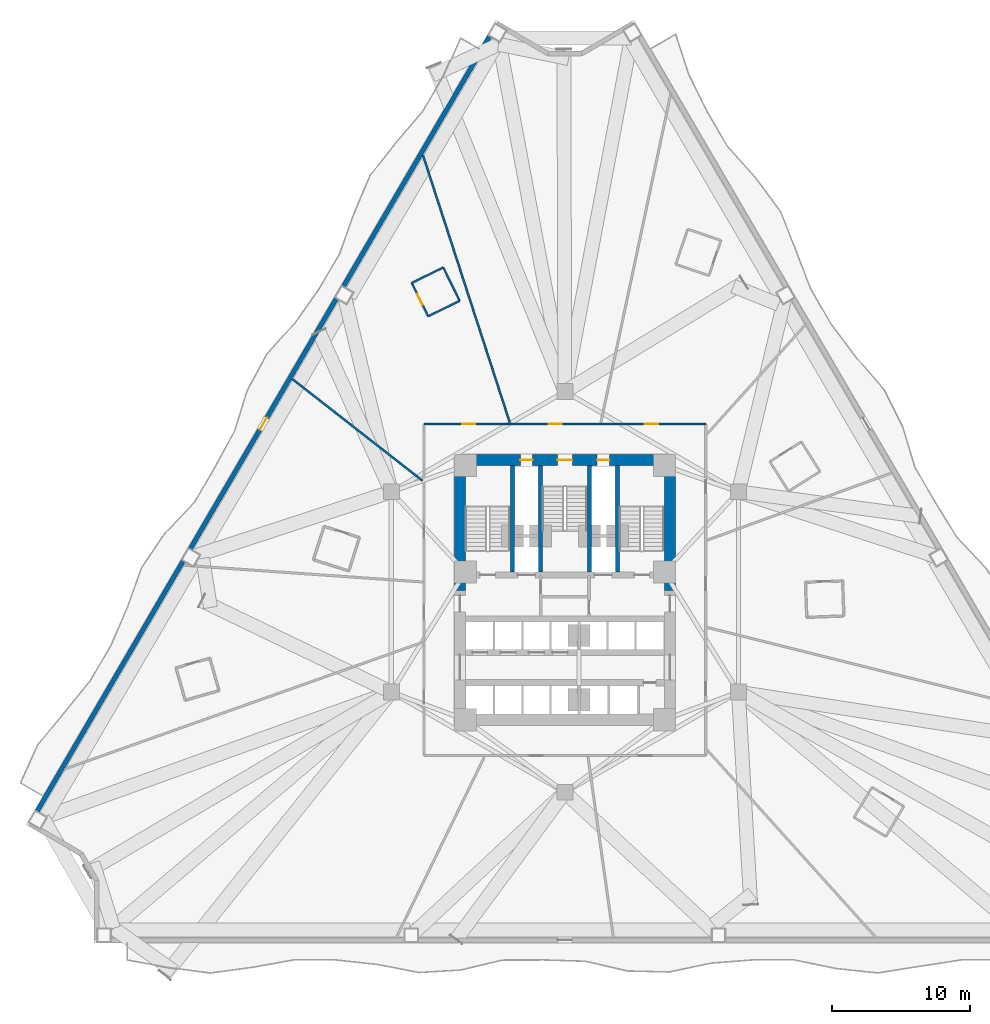
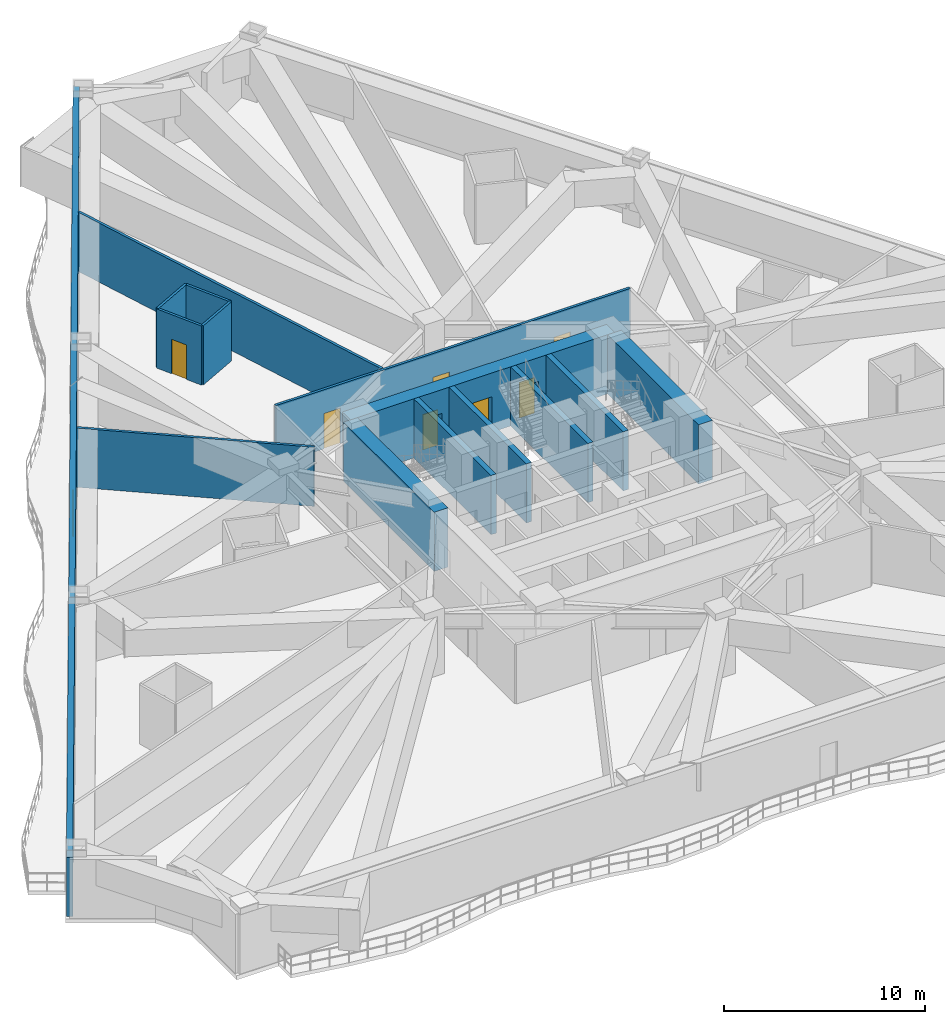
# One storey, part 10 of 16: 15 walls, 8 doors, 8 openings.
"""IFC4 building model written with IfcOpenShell, lengths in metres."""

import ifcopenshell
import ifcopenshell.guid

model = None  # the IFC model being written
_history = None  # IfcOwnerHistory: only IFC2X3 demands one
_inside = {}  # id of a spatial element -> (the spatial element, [elements in it])
_under = {}  # id of a project, library or spatial element -> (it, [spatial elements below it])
_declared = {}  # id of a project -> (the project, [libraries it declares])
_typed = {}  # id of a type object -> (the type object, [elements of that type])
_made_of = {}  # id of a material, layer set ... -> (it, [elements and type objects made of it])


def new_model(schema):
    """Start an empty IFC model of exactly this schema.

    Asked for "IFC4X3", IfcOpenShell would pick the latest addendum, in which some entities
    have other attributes; the version numbers below select the first issue.
    IFC2X3 requires an IfcOwnerHistory on every rooted entity: one is made here for all.
    """
    global model, _history
    if schema == "IFC4X3":
        model = ifcopenshell.file(schema_version=(4, 3, 0, 0))
    else:
        model = ifcopenshell.file(schema=schema)
    _inside.clear()
    _under.clear()
    _declared.clear()
    _typed.clear()
    _made_of.clear()
    _history = None
    if model.schema == "IFC2X3":
        org = make("IfcOrganization", Name="unknown")
        user = make(
            "IfcPersonAndOrganization",
            ThePerson=make("IfcPerson", FamilyName="unknown"),
            TheOrganization=org,
        )
        app = make(
            "IfcApplication",
            ApplicationDeveloper=org,
            Version="unknown",
            ApplicationFullName="unknown",
            ApplicationIdentifier="unknown",
        )
        _history = make(
            "IfcOwnerHistory",
            OwningUser=user,
            OwningApplication=app,
            ChangeAction="ADDED",
            CreationDate=0,
        )
    return model


def make(cls, **values):
    """One entity of the class cls with the attributes given. An attribute that is None is left unset."""
    return model.create_entity(
        cls, **{name: value for name, value in values.items() if value is not None}
    )


def rooted(cls, **values):
    """An entity with a GlobalId (a new one), such as an element, a storey or a relation."""
    return make(cls, GlobalId=ifcopenshell.guid.new(), OwnerHistory=_history, **values)


def si_unit(unit_type, name, prefix=None):
    """IfcSIUnit, for example si_unit("LENGTHUNIT", "METRE", prefix="MILLI")."""
    return make("IfcSIUnit", UnitType=unit_type, Prefix=prefix, Name=name)


def assignment(units):
    """IfcUnitAssignment: the units of a project."""
    return None if units is None else make("IfcUnitAssignment", Units=units)


def point(xyz):
    """IfcCartesianPoint."""
    return None if xyz is None else make("IfcCartesianPoint", Coordinates=xyz)


def direction(xyz):
    """IfcDirection."""
    return None if xyz is None else make("IfcDirection", DirectionRatios=xyz)


def frame(location, z_axis=None, x_axis=None):
    """IfcAxis2Placement3D, a coordinate frame: its origin and axes. An axis left out is left unset."""
    return make(
        "IfcAxis2Placement3D",
        Location=point(location),
        Axis=direction(z_axis),
        RefDirection=direction(x_axis),
    )


def frame_2d(location, x_axis=None):
    """IfcAxis2Placement2D, a coordinate frame in the plane: its origin and x axis."""
    return make(
        "IfcAxis2Placement2D", Location=point(location), RefDirection=direction(x_axis)
    )


def origin():
    """The frame at (0, 0, 0) with its axes left unset."""
    return frame((0.0, 0.0, 0.0))


def place(relative_to, where):
    """IfcLocalPlacement: puts the frame where relative to a parent placement (None: the world)."""
    return make(
        "IfcLocalPlacement", PlacementRelTo=relative_to, RelativePlacement=where
    )


def context(
    kind, dimensions, precision=None, world=None, true_north=None, identifier=None
):
    """IfcGeometricRepresentationContext, for example the 3D "Model" context."""
    return make(
        "IfcGeometricRepresentationContext",
        ContextIdentifier=identifier,
        ContextType=kind,
        CoordinateSpaceDimension=dimensions,
        Precision=precision,
        WorldCoordinateSystem=world,
        TrueNorth=true_north,
    )


def subcontext(parent, identifier, kind, view, scale=None):
    """IfcGeometricRepresentationSubContext, for example "Body" below "Model"."""
    return make(
        "IfcGeometricRepresentationSubContext",
        ContextIdentifier=identifier,
        ContextType=kind,
        ParentContext=parent,
        TargetScale=scale,
        TargetView=view,
    )


def project(units=None, contexts=None):
    """IfcProject with its units and contexts."""
    return rooted(
        "IfcProject",
        Name="project",
        RepresentationContexts=contexts,
        UnitsInContext=assignment(units),
    )


def spatial(cls, under=None, at=None, **own):
    """A site, building, storey or space (cls), placed at a placement, below another one or the project."""
    s = rooted(cls, ObjectPlacement=at, **own)
    if under is not None:
        _under.setdefault(under.id(), (under, []))[1].append(s)
    return s


def profile(cls, at=None, kind="AREA", **sizes):
    """A parametric profile (cls). Its sizes go by their IFC names, for example OverallWidth=200.0."""
    return make(cls, ProfileType=kind, Position=at, **sizes)


def rectangle(**sizes):
    """IfcRectangleProfileDef."""
    return profile("IfcRectangleProfileDef", **sizes)


def extrude(swept, where, along, depth):
    """IfcExtrudedAreaSolid: the profile swept, set in the frame where, extruded along a direction by depth."""
    return make(
        "IfcExtrudedAreaSolid",
        SweptArea=swept,
        Position=where,
        ExtrudedDirection=direction(along),
        Depth=depth,
    )


def shape(context_of_items, identifier, shape_type, items):
    """IfcShapeRepresentation: the items that make up one representation, for example the "Body"."""
    return make(
        "IfcShapeRepresentation",
        ContextOfItems=context_of_items,
        RepresentationIdentifier=identifier,
        RepresentationType=shape_type,
        Items=items,
    )


def material(Name=None, Category=None):
    """IfcMaterial."""
    return make("IfcMaterial", Name=Name, Category=Category)


def layer(
    of_material, thickness, ventilated=None, Name=None, Category=None, Priority=None
):
    """IfcMaterialLayer: one layer of a wall or slab, of a material (None: an air gap)."""
    return make(
        "IfcMaterialLayer",
        Material=of_material,
        LayerThickness=thickness,
        IsVentilated=ventilated,
        Name=Name,
        Category=Category,
        Priority=Priority,
    )


def layer_set(layers, Name=None):
    """IfcMaterialLayerSet."""
    return make("IfcMaterialLayerSet", MaterialLayers=layers, LayerSetName=Name)


def made_of(thing, what):
    """Note that an element or type object is made of a material, layer set ...; save() writes the relation."""
    if what is not None:
        _made_of.setdefault(what.id(), (what, []))[1].append(thing)
    return thing


def type_object(cls, material=None, **own):
    """A type object (cls), such as IfcWallType, which elements share."""
    return made_of(rooted(cls, **own), material)


def element(
    cls,
    number,
    at=None,
    inside=None,
    cuts=None,
    type_object=None,
    material=None,
    context=None,
    identifier="Body",
    shape_type=None,
    held_by="IfcProductDefinitionShape",
    body=None,
    shapes=None,
    **own,
):
    """One element of the class cls, such as IfcWall. Its Tag is "e" and its number.

    at: its placement. inside: the storey or other place that contains it. cuts: it is an
    opening in that element (IfcRelVoidsElement). A single representation is given by context,
    identifier, shape_type and body (its items); several are given by shapes. held_by: the class
    of the entity that holds the representations. save() writes the other relations.
    """
    e = rooted(cls, Tag="e%d" % number, ObjectPlacement=at, **own)
    if body is not None:
        shapes = [shape(context, identifier, shape_type, body)]
    if shapes is not None:
        e.Representation = make(held_by, Representations=shapes)
    if inside is not None:
        _inside.setdefault(inside.id(), (inside, []))[1].append(e)
    if cuts is not None:
        rooted(
            "IfcRelVoidsElement", RelatingBuildingElement=cuts, RelatedOpeningElement=e
        )
    if type_object is not None:
        _typed.setdefault(type_object.id(), (type_object, []))[1].append(e)
    return made_of(e, material)


def fill(opening, filler):
    """IfcRelFillsElement: the door or window that sits in an opening."""
    return rooted(
        "IfcRelFillsElement",
        RelatingOpeningElement=opening,
        RelatedBuildingElement=filler,
    )


def aggregate(whole, parts):
    """IfcRelAggregates: a whole, such as a stair, and the parts it consists of."""
    return rooted("IfcRelAggregates", RelatingObject=whole, RelatedObjects=parts)


def save(model, path):
    """Write the relations noted so far, then the file.

    IfcRelAggregates (storeys below a building ...), IfcRelContainedInSpatialStructure (elements
    in a storey), IfcRelDefinesByType, IfcRelAssociatesMaterial and IfcRelDeclares: one each for
    every whole, place, type object, material and project.
    """
    for whole, parts in _under.values():
        aggregate(whole, parts)
    for where, things in _inside.values():
        rooted(
            "IfcRelContainedInSpatialStructure",
            RelatedElements=things,
            RelatingStructure=where,
        )
    for kind, things in _typed.values():
        rooted("IfcRelDefinesByType", RelatedObjects=things, RelatingType=kind)
    for what, things in _made_of.values():
        rooted("IfcRelAssociatesMaterial", RelatedObjects=things, RelatingMaterial=what)
    for by, libraries in _declared.values():
        rooted("IfcRelDeclares", RelatingContext=by, RelatedDefinitions=libraries)
    model.write(path)


model = new_model("IFC4")

# Units and contexts
model_context = context("Model", 3, precision=1e-05, world=origin(), true_north=direction((0.0, 1.0)))
body_context = subcontext(model_context, "Body", "Model", "MODEL_VIEW")
ifc_project = project(units=[si_unit("LENGTHUNIT", "METRE"), si_unit("AREAUNIT", "SQUARE_METRE"), si_unit("VOLUMEUNIT", "CUBIC_METRE"), si_unit("PLANEANGLEUNIT", "RADIAN"), si_unit("MASSUNIT", "GRAM", prefix="KILO")], contexts=[model_context])

# Site, building, storey
site_placement = place(None, origin())
site = spatial("IfcSite", under=ifc_project, at=site_placement, CompositionType="ELEMENT")
building_placement = place(site_placement, origin())
building = spatial("IfcBuilding", under=site, at=building_placement, Name="Apsidion Concourse Tower", CompositionType="ELEMENT")
storey_placement = place(building_placement, frame((0.0, 0.0, 58.39990234375)))
storey = spatial("IfcBuildingStorey", under=building, at=storey_placement, Name="L12", CompositionType="ELEMENT", Elevation=58.39990234375)

# Wall, opening, door
ifc_material_1 = material(Name="Precast concrete C40/50", Category="concrete")
ifc_layer_1 = layer(ifc_material_1, 0.320068359375)
ifc_layer_set_1 = layer_set([ifc_layer_1], Name="Precast concrete C40/50")
wall_type_1 = type_object("IfcWallType", Name="WL-EXT-320", PredefinedType="STANDARD", material=ifc_layer_set_1)
wall_1_placement = place(storey_placement, frame((-38.725830078125, -16.7734375, 0.0), z_axis=(0.0, 0.0, 1.0), x_axis=(0.504213113214, 0.863579258935, 0.0)))
wall_1 = element("IfcWall", 1, at=wall_1_placement, inside=storey, type_object=wall_type_1, Name="L12 Precast Stone Facade Wall 09", PredefinedType="STANDARD", context=body_context, shape_type="SweptSolid", body=[
    extrude(rectangle(XDim=67.041015625, YDim=0.320068359375, at=frame_2d((33.5205078125, 0.0))), origin(), (0.0, 0.0, 1.0), 3.60009765625),
])
opening_1_placement = place(wall_1_placement, frame((33.0205078125, 0.0, 0.0)))
opening_1 = element("IfcOpeningElement", 2, at=opening_1_placement, cuts=wall_1, Name="Opening D-T1L", PredefinedType="OPENING", context=body_context, shape_type="SweptSolid", body=[
    extrude(rectangle(XDim=1.0, YDim=2.14990234375, at=frame_2d((0.5, 1.074951171875))), frame((0.0, 0.169921875, 0.0), z_axis=(0.0, -1.0, 0.0), x_axis=(1.0, 0.0, 0.0)), (0.0, 0.0, 1.0), 0.340087890625),
])
ifc_material_2 = material(Name="Anodised aluminium EN AW-6063 T6", Category="aluminium")
door_type_1 = type_object("IfcDoorType", Name="DR-TER-1022L", OperationType="SINGLE_SWING_LEFT", PredefinedType="DOOR", material=ifc_material_2)
door_1_placement = place(opening_1_placement, origin())
door_1 = element("IfcDoor", 3, at=door_1_placement, inside=storey, type_object=door_type_1, Name="L12 Balcony Access Door 1", OperationType="SINGLE_SWING_LEFT", OverallHeight=2.14990234375, OverallWidth=1.0, PredefinedType="DOOR", context=body_context, shape_type="SweptSolid", body=[
    extrude(rectangle(XDim=1.0, YDim=2.14990234375, at=frame_2d((0.5, 1.074951171875))), frame((0.0, 0.02490234375, 0.0), z_axis=(0.0, -1.0, 0.0), x_axis=(1.0, 0.0, 0.0)), (0.0, 0.0, 1.0), 0.050048828125),
])
fill(opening_1, door_1)

# Walls
ifc_material_3 = material(Name="Gypsum plasterboard partition")
ifc_layer_2 = layer(ifc_material_3, 0.139892578125)
ifc_layer_set_2 = layer_set([ifc_layer_2], Name="Gypsum plasterboard partition")
wall_type_2 = type_object("IfcWallType", Name="WL-INT-PAR-140", PredefinedType="PARTITIONING", material=ifc_layer_set_2)
wall_2_placement = place(storey_placement, frame((-7.614013671875, 21.071044921875, 0.0), z_axis=(0.0, 0.0, 1.0), x_axis=(-0.441468216104, 0.89727688824, 0.0)))
element("IfcWall", 4, at=wall_2_placement, inside=storey, type_object=wall_type_2, Name="L12 Interior Partition WL-L12-POD-ENS09-S1", PredefinedType="PARTITIONING", context=body_context, shape_type="SweptSolid", body=[
    extrude(rectangle(XDim=2.68994140625, YDim=0.139892578125, at=frame_2d((1.344970703125, 0.0))), origin(), (0.0, 0.0, 1.0), 3.60009765625),
])
wall_3_placement = place(storey_placement, frame((-8.801513671875, 23.484619140625, 0.0), z_axis=(0.0, 0.0, 1.0), x_axis=(-0.897291929889, -0.441437642886, 0.0)))
element("IfcWall", 5, at=wall_3_placement, inside=storey, type_object=wall_type_2, Name="L12 Interior Partition WL-L12-POD-ENS09-S2", PredefinedType="PARTITIONING", context=body_context, shape_type="SweptSolid", body=[
    extrude(rectangle(XDim=2.540283203125, YDim=0.139892578125, at=frame_2d((1.27001953125, 0.0))), origin(), (0.0, 0.0, 1.0), 3.60009765625),
])

# Wall, opening, door
wall_4_placement = place(storey_placement, frame((-11.080810546875, 22.36328125, 0.0), z_axis=(0.0, 0.0, 1.0), x_axis=(0.441541285032, -0.897240933982, 0.0)))
wall_4 = element("IfcWall", 6, at=wall_4_placement, inside=storey, type_object=wall_type_2, Name="L12 Interior Partition WL-L12-POD-ENS09-S3", PredefinedType="PARTITIONING", context=body_context, shape_type="SweptSolid", body=[
    extrude(rectangle(XDim=2.68994140625, YDim=0.139892578125, at=frame_2d((1.344970703125, 0.0))), origin(), (0.0, 0.0, 1.0), 3.60009765625),
])
opening_2_placement = place(wall_4_placement, frame((0.905029296875, 0.0, 0.0)))
opening_2 = element("IfcOpeningElement", 7, at=opening_2_placement, cuts=wall_4, Name="Opening D-03R", PredefinedType="OPENING", context=body_context, shape_type="SweptSolid", body=[
    extrude(rectangle(XDim=0.8798828125, YDim=2.10009765625, at=frame_2d((0.43994140625, 1.050048828125))), frame((0.0, 0.080078125, 0.0), z_axis=(0.0, -1.0, 0.0), x_axis=(1.0, 0.0, 0.0)), (0.0, 0.0, 1.0), 0.159912109375),
])
door_type_2 = type_object("IfcDoorType", Name="DR-INT-D03R", OperationType="SINGLE_SWING_RIGHT", PredefinedType="DOOR", material=ifc_material_2)
door_2_placement = place(opening_2_placement, origin())
door_2 = element("IfcDoor", 8, at=door_2_placement, inside=storey, type_object=door_type_2, Name="L12 Guest En-Suite Bathroom Door ENS09", OperationType="SINGLE_SWING_RIGHT", OverallHeight=2.10009765625, OverallWidth=0.8798828125, PredefinedType="DOOR", context=body_context, shape_type="SweptSolid", body=[
    extrude(rectangle(XDim=0.8798828125, YDim=2.10009765625, at=frame_2d((0.43994140625, 1.050048828125))), frame((0.0, 0.02490234375, 0.0), z_axis=(0.0, -1.0, 0.0), x_axis=(1.0, 0.0, 0.0)), (0.0, 0.0, 1.0), 0.050048828125),
])
fill(opening_2, door_2)

# Wall
wall_5_placement = place(storey_placement, frame((-9.89306640625, 19.94970703125, 0.0), z_axis=(0.0, 0.0, 1.0), x_axis=(0.897273198593, 0.441475715173, 0.0)))
element("IfcWall", 9, at=wall_5_placement, inside=storey, type_object=wall_type_2, Name="L12 Interior Partition WL-L12-POD-ENS09-S4", PredefinedType="PARTITIONING", context=body_context, shape_type="SweptSolid", body=[
    extrude(rectangle(XDim=2.5400390625, YDim=0.139892578125, at=frame_2d((1.27001953125, 0.0))), origin(), (0.0, 0.0, 1.0), 3.60009765625),
])

# Wall, openings, doors
ifc_layer_3 = layer(ifc_material_3, 0.14990234375)
ifc_layer_set_3 = layer_set([ifc_layer_3], Name="Gypsum plasterboard partition")
wall_type_3 = type_object("IfcWallType", Name="WL-INT-PAR-150", PredefinedType="PARTITIONING", material=ifc_layer_set_3)
wall_6_placement = place(storey_placement, frame((-10.199951171875, 12.14990234375, 0.0), z_axis=(0.0, 0.0, 1.0), x_axis=(1.0, 0.0, 0.0)))
wall_6 = element("IfcWall", 10, at=wall_6_placement, inside=storey, type_object=wall_type_3, Name="L12 Interior Partition WL-L12-CORR-01", PredefinedType="PARTITIONING", context=body_context, shape_type="SweptSolid", body=[
    extrude(rectangle(XDim=20.39990234375, YDim=0.14990234375, at=frame_2d((10.199951171875, 0.0))), origin(), (0.0, 0.0, 1.0), 3.60009765625),
])
opening_3_placement = place(wall_6_placement, frame((15.998046875, 0.0, 0.0)))
opening_3 = element("IfcOpeningElement", 11, at=opening_3_placement, cuts=wall_6, Name="Opening D-01R", PredefinedType="OPENING", context=body_context, shape_type="SweptSolid", body=[
    extrude(rectangle(XDim=0.949951171875, YDim=2.14990234375, at=frame_2d((0.47509765625, 1.074951171875))), frame((0.0, 0.0849609375, 0.0), z_axis=(0.0, -1.0, 0.0), x_axis=(1.0, 0.0, 0.0)), (0.0, 0.0, 1.0), 0.169921875),
])
opening_4_placement = place(wall_6_placement, frame((9.03759765625, 0.0, 0.0)))
opening_4 = element("IfcOpeningElement", 12, at=opening_4_placement, cuts=wall_6, Name="Opening D-01L", PredefinedType="OPENING", context=body_context, shape_type="SweptSolid", body=[
    extrude(rectangle(XDim=0.949951171875, YDim=2.14990234375, at=frame_2d((0.47509765625, 1.074951171875))), frame((0.0, 0.0849609375, 0.0), z_axis=(0.0, -1.0, 0.0), x_axis=(1.0, 0.0, 0.0)), (0.0, 0.0, 1.0), 0.169921875),
])
opening_5_placement = place(wall_6_placement, frame((2.764404296875, 0.0, 0.0)))
opening_5 = element("IfcOpeningElement", 13, at=opening_5_placement, cuts=wall_6, Name="Opening D-01R", PredefinedType="OPENING", context=body_context, shape_type="SweptSolid", body=[
    extrude(rectangle(XDim=0.949951171875, YDim=2.14990234375, at=frame_2d((0.47509765625, 1.074951171875))), frame((0.0, 0.0849609375, 0.0), z_axis=(0.0, -1.0, 0.0), x_axis=(1.0, 0.0, 0.0)), (0.0, 0.0, 1.0), 0.169921875),
])
ifc_material_4 = material(Name="Brushed stainless steel 316", Category="steel")
door_type_3 = type_object("IfcDoorType", Name="DR-INT-D01L", OperationType="SINGLE_SWING_LEFT", PredefinedType="DOOR", material=ifc_material_4)
door_3_placement = place(opening_4_placement, origin())
door_3 = element("IfcDoor", 14, at=door_3_placement, inside=storey, type_object=door_type_3, Name="L12 Corridor Entry Door 09", OperationType="SINGLE_SWING_LEFT", OverallHeight=2.14990234375, OverallWidth=0.949951171875, PredefinedType="DOOR", context=body_context, shape_type="SweptSolid", body=[
    extrude(rectangle(XDim=0.949951171875, YDim=2.14990234375, at=frame_2d((0.47509765625, 1.074951171875))), frame((0.0, 0.02490234375, 0.0), z_axis=(0.0, -1.0, 0.0), x_axis=(1.0, 0.0, 0.0)), (0.0, 0.0, 1.0), 0.050048828125),
])
fill(opening_4, door_3)
door_type_4 = type_object("IfcDoorType", Name="DR-INT-D01R", OperationType="SINGLE_SWING_RIGHT", PredefinedType="DOOR", material=ifc_material_4)
door_4_placement = place(opening_3_placement, origin())
door_4 = element("IfcDoor", 15, at=door_4_placement, inside=storey, type_object=door_type_4, Name="L12 Corridor Entry Door 08", OperationType="SINGLE_SWING_RIGHT", OverallHeight=2.14990234375, OverallWidth=0.949951171875, PredefinedType="DOOR", context=body_context, shape_type="SweptSolid", body=[
    extrude(rectangle(XDim=0.949951171875, YDim=2.14990234375, at=frame_2d((0.47509765625, 1.074951171875))), frame((0.0, 0.02490234375, 0.0), z_axis=(0.0, -1.0, 0.0), x_axis=(1.0, 0.0, 0.0)), (0.0, 0.0, 1.0), 0.050048828125),
])
fill(opening_3, door_4)
door_5_placement = place(opening_5_placement, origin())
door_5 = element("IfcDoor", 16, at=door_5_placement, inside=storey, type_object=door_type_4, Name="L12 Corridor Entry Door 10", OperationType="SINGLE_SWING_RIGHT", OverallHeight=2.14990234375, OverallWidth=0.949951171875, PredefinedType="DOOR", context=body_context, shape_type="SweptSolid", body=[
    extrude(rectangle(XDim=0.949951171875, YDim=2.14990234375, at=frame_2d((0.47509765625, 1.074951171875))), frame((0.0, 0.02490234375, 0.0), z_axis=(0.0, -1.0, 0.0), x_axis=(1.0, 0.0, 0.0)), (0.0, 0.0, 1.0), 0.050048828125),
])
fill(opening_5, door_5)

# Walls
wall_7_placement = place(storey_placement, frame((-3.98193359375, 12.2548828125, 0.0), z_axis=(0.0, 0.0, 1.0), x_axis=(-0.309011216684, 0.951058393561, 0.0)))
element("IfcWall", 17, at=wall_7_placement, inside=storey, type_object=wall_type_3, Name="L12 Interior Partition WL-L12-RAD-04-1", PredefinedType="PARTITIONING", context=body_context, shape_type="SweptSolid", body=[
    extrude(rectangle(XDim=20.3544921875, YDim=0.14990234375, at=frame_2d((10.17724609375, 0.0))), origin(), (0.0, 0.0, 1.0), 3.60009765625),
])
wall_8_placement = place(storey_placement, frame((-10.304931640625, 8.051025390625, 0.0), z_axis=(0.0, 0.0, 1.0), x_axis=(-0.788008281042, 0.615664640051, 0.0)))
element("IfcWall", 18, at=wall_8_placement, inside=storey, type_object=wall_type_3, Name="L12 Interior Partition WL-L12-RAD-05-1", PredefinedType="PARTITIONING", context=body_context, shape_type="SweptSolid", body=[
    extrude(rectangle(XDim=11.960205078125, YDim=0.14990234375, at=frame_2d((5.97998046875, 0.0))), origin(), (0.0, 0.0, 1.0), 3.60009765625),
])
ifc_material_5 = material(Name="Concrete C50/60", Category="concrete")
ifc_layer_4 = layer(ifc_material_5, 0.300048828125)
ifc_layer_set_4 = layer_set([ifc_layer_4], Name="Concrete C50/60")
wall_type_4 = type_object("IfcWallType", Name="WL-SH-300", PredefinedType="SHEAR", material=ifc_layer_set_4)
for number, where, z_axis, x_axis, name in (
    (19, (-3.800048828125, 1.449951171875, 0.0), (0.0, 0.0, 1.0), (0.0, 1.0, 0.0), "L12 Central Core Shear Wall V1"),
    (20, (-1.77490234375, 1.449951171875, 0.0), (0.0, 0.0, 1.0), (0.0, 1.0, 0.0), "L12 Central Core Shear Wall V2"),
    (21, (1.77490234375, 1.449951171875, 0.0), (0.0, 0.0, 1.0), (0.0, 1.0, 0.0), "L12 Central Core Shear Wall V3"),
    (22, (3.800048828125, 1.449951171875, 0.0), (0.0, 0.0, 1.0), (0.0, 1.0, 0.0), "L12 Central Core Shear Wall V4"),
):
    element("IfcWall", number, at=place(storey_placement, frame(where, z_axis=z_axis, x_axis=x_axis)), inside=storey, type_object=wall_type_4, Name=name, PredefinedType="SHEAR", context=body_context, shape_type="SweptSolid", body=[
        extrude(rectangle(XDim=7.699951171875, YDim=0.300048828125, at=frame_2d((3.85009765625, 0.0))), origin(), (0.0, 0.0, 1.0), 3.60009765625),
    ])

# Wall, openings, doors
ifc_material_6 = material(Name="Concrete C60/75", Category="concrete")
ifc_layer_5 = layer(ifc_material_6, 0.800048828125)
ifc_layer_set_5 = layer_set([ifc_layer_5], Name="Concrete C60/75")
wall_type_5 = type_object("IfcWallType", Name="WL-SH-800", PredefinedType="SHEAR", material=ifc_layer_set_5)
wall_9_placement = place(storey_placement, frame((-7.60009765625, 9.550048828125, 0.0), z_axis=(0.0, 0.0, 1.0), x_axis=(1.0, 0.0, 0.0)))
wall_9 = element("IfcWall", 23, at=wall_9_placement, inside=storey, type_object=wall_type_5, Name="L12 Central Core Shear Wall N", PredefinedType="SHEAR", context=body_context, shape_type="SweptSolid", body=[
    extrude(rectangle(XDim=15.2001953125, YDim=0.800048828125, at=frame_2d((7.60009765625, 0.0))), origin(), (0.0, 0.0, 1.0), 3.60009765625),
])
opening_6_placement = place(wall_9_placement, frame((7.050048828125, 0.0, 0.0)))
opening_6 = element("IfcOpeningElement", 24, at=opening_6_placement, cuts=wall_9, Name="Opening D-STL", PredefinedType="OPENING", context=body_context, shape_type="SweptSolid", body=[
    extrude(rectangle(XDim=1.10009765625, YDim=2.14990234375, at=frame_2d((0.550048828125, 1.074951171875))), frame((0.0, 0.41015625, 0.0), z_axis=(0.0, -1.0, 0.0), x_axis=(1.0, 0.0, 0.0)), (0.0, 0.0, 1.0), 0.820068359375),
])
opening_7_placement = place(wall_9_placement, frame((4.3798828125, 0.0, 0.0)))
opening_7 = element("IfcOpeningElement", 25, at=opening_7_placement, cuts=wall_9, Name="Opening D-05L", PredefinedType="OPENING", context=body_context, shape_type="SweptSolid", body=[
    extrude(rectangle(XDim=0.8798828125, YDim=2.14990234375, at=frame_2d((0.43994140625, 1.074951171875))), frame((0.0, 0.41015625, 0.0), z_axis=(0.0, -1.0, 0.0), x_axis=(1.0, 0.0, 0.0)), (0.0, 0.0, 1.0), 0.820068359375),
])
opening_8_placement = place(wall_9_placement, frame((9.93994140625, 0.0, 0.0)))
opening_8 = element("IfcOpeningElement", 26, at=opening_8_placement, cuts=wall_9, Name="Opening D-05R", PredefinedType="OPENING", context=body_context, shape_type="SweptSolid", body=[
    extrude(rectangle(XDim=0.8798828125, YDim=2.14990234375, at=frame_2d((0.43994140625, 1.074951171875))), frame((0.0, 0.41015625, 0.0), z_axis=(0.0, -1.0, 0.0), x_axis=(1.0, 0.0, 0.0)), (0.0, 0.0, 1.0), 0.820068359375),
])
door_type_5 = type_object("IfcDoorType", Name="DR-INT-D05L", OperationType="SINGLE_SWING_LEFT", PredefinedType="DOOR", material=ifc_material_4)
door_6_placement = place(opening_7_placement, origin())
door_6 = element("IfcDoor", 27, at=door_6_placement, inside=storey, type_object=door_type_5, Name="L12 Electrical Riser Shaft Access Door", OperationType="SINGLE_SWING_LEFT", OverallHeight=2.14990234375, OverallWidth=0.8798828125, PredefinedType="DOOR", context=body_context, shape_type="SweptSolid", body=[
    extrude(rectangle(XDim=0.8798828125, YDim=2.14990234375, at=frame_2d((0.43994140625, 1.074951171875))), frame((0.0, 0.02490234375, 0.0), z_axis=(0.0, -1.0, 0.0), x_axis=(1.0, 0.0, 0.0)), (0.0, 0.0, 1.0), 0.050048828125),
])
fill(opening_7, door_6)
door_type_6 = type_object("IfcDoorType", Name="DR-INT-D05R", OperationType="SINGLE_SWING_RIGHT", PredefinedType="DOOR", material=ifc_material_4)
door_7_placement = place(opening_8_placement, origin())
door_7 = element("IfcDoor", 28, at=door_7_placement, inside=storey, type_object=door_type_6, Name="L12 Mechanical Riser Shaft Access Door", OperationType="SINGLE_SWING_RIGHT", OverallHeight=2.14990234375, OverallWidth=0.8798828125, PredefinedType="DOOR", context=body_context, shape_type="SweptSolid", body=[
    extrude(rectangle(XDim=0.8798828125, YDim=2.14990234375, at=frame_2d((0.43994140625, 1.074951171875))), frame((0.0, 0.02490234375, 0.0), z_axis=(0.0, -1.0, 0.0), x_axis=(1.0, 0.0, 0.0)), (0.0, 0.0, 1.0), 0.050048828125),
])
fill(opening_8, door_7)
door_type_7 = type_object("IfcDoorType", Name="DR-INT-ST1L", OperationType="SINGLE_SWING_LEFT", PredefinedType="DOOR", material=ifc_material_4)
door_8_placement = place(opening_6_placement, origin())
door_8 = element("IfcDoor", 29, at=door_8_placement, inside=storey, type_object=door_type_7, Name="L12 Core Exit Stair ST3 Door", OperationType="SINGLE_SWING_LEFT", OverallHeight=2.14990234375, OverallWidth=1.10009765625, PredefinedType="DOOR", context=body_context, shape_type="SweptSolid", body=[
    extrude(rectangle(XDim=1.10009765625, YDim=2.14990234375, at=frame_2d((0.550048828125, 1.074951171875))), frame((0.0, 0.02490234375, 0.0), z_axis=(0.0, -1.0, 0.0), x_axis=(1.0, 0.0, 0.0)), (0.0, 0.0, 1.0), 0.050048828125),
])
fill(opening_6, door_8)

# Walls
for number, where, z_axis, x_axis, name in (
    (30, (-7.60009765625, 0.10009765625, 0.0), (0.0, 0.0, 1.0), (0.0, 1.0, 0.0), "L12 Central Core Shear Wall WN"),
    (31, (7.60009765625, 0.10009765625, 0.0), (0.0, 0.0, 1.0), (0.0, 1.0, 0.0), "L12 Central Core Shear Wall EN"),
):
    element("IfcWall", number, at=place(storey_placement, frame(where, z_axis=z_axis, x_axis=x_axis)), inside=storey, type_object=wall_type_5, Name=name, PredefinedType="SHEAR", context=body_context, shape_type="SweptSolid", body=[
        extrude(rectangle(XDim=9.0498046875, YDim=0.800048828125, at=frame_2d((4.52490234375, 0.0))), origin(), (0.0, 0.0, 1.0), 3.60009765625),
    ])

save(model, "model.ifc")
